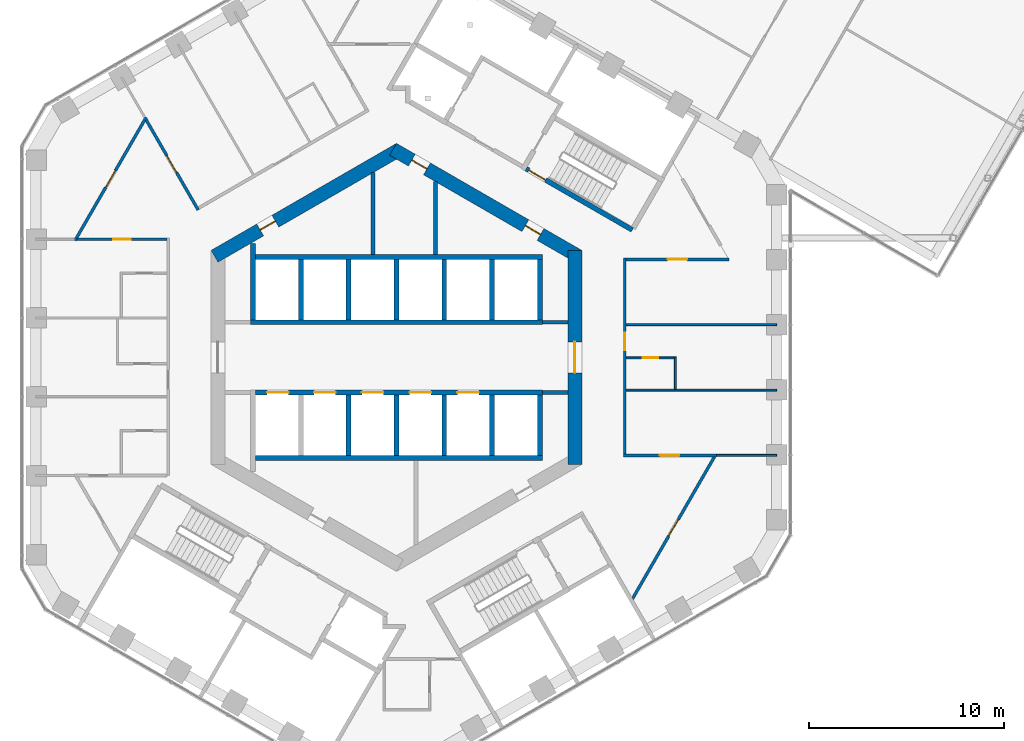
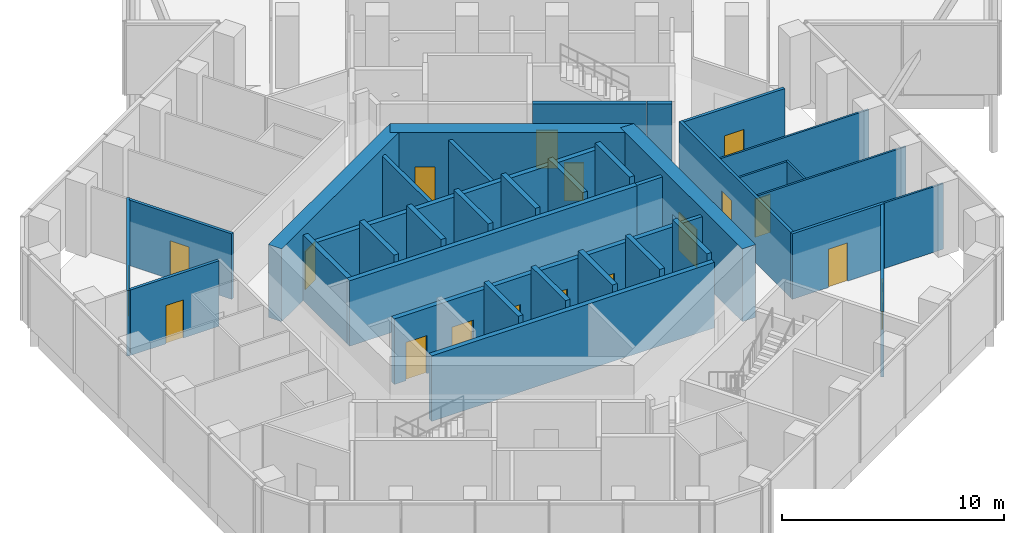
# One storey, part 20 of 25: 37 walls, 18 doors, 18 openings.
"""IFC4 building model written with IfcOpenShell, lengths in metres."""

from ifc_helpers import new_model, si_unit, direction, frame, frame_2d, origin, place, context, subcontext, project, spatial, rectangle, extrude, material, layer, layer_set, type_object, element, fill, save


model = new_model("IFC4")

# Units and contexts
model_context = context("Model", 3, precision=1e-05, world=origin(), true_north=direction((0.0, 1.0)))
body_context = subcontext(model_context, "Body", "Model", "MODEL_VIEW")
ifc_project = project(units=[si_unit("LENGTHUNIT", "METRE"), si_unit("AREAUNIT", "SQUARE_METRE"), si_unit("VOLUMEUNIT", "CUBIC_METRE"), si_unit("PLANEANGLEUNIT", "RADIAN"), si_unit("MASSUNIT", "GRAM", prefix="KILO")], contexts=[model_context])

# Site, building, storey
site_placement = place(None, origin())
site = spatial("IfcSite", under=ifc_project, at=site_placement, CompositionType="ELEMENT")
building_placement = place(site_placement, origin())
building = spatial("IfcBuilding", under=site, at=building_placement, Name="Ayvan Gate Tower", CompositionType="ELEMENT")
storey_placement = place(building_placement, frame((0.0, 0.0, 139.89990234375)))
storey = spatial("IfcBuildingStorey", under=building, at=storey_placement, Name="L37", CompositionType="ELEMENT", Elevation=139.89990234375)

# Wall, opening, door
ifc_material_1 = material(Name="Concrete C70/85", Category="concrete")
ifc_layer_1 = layer(ifc_material_1, 0.699951171875)
ifc_layer_set_1 = layer_set([ifc_layer_1], Name="Concrete C70/85")
wall_type_1 = type_object("IfcWallType", Name="Core wall 700 C70/85", PredefinedType="SHEAR", material=ifc_layer_set_1)
wall_1_placement = place(storey_placement, frame((9.14990234375, -5.48486328125, 0.0), z_axis=(0.0, 0.0, 1.0), x_axis=(0.0, 1.0, 0.0)))
wall_1 = element("IfcWall", 1, at=wall_1_placement, inside=storey, type_object=wall_type_1, Name="CORE-L37-0", PredefinedType="SHEAR", context=body_context, shape_type="SweptSolid", body=[
    extrude(rectangle(XDim=10.9697265625, YDim=0.699951171875, at=frame_2d((5.48486328125, 0.0))), origin(), (0.0, 0.0, 1.0), 4.0),
])
opening_1_placement = place(wall_1_placement, frame((4.684814453125, 0.0, 0.0)))
opening_1 = element("IfcOpeningElement", 2, at=opening_1_placement, cuts=wall_1, Name="Opening L37-D52", PredefinedType="OPENING", context=body_context, shape_type="SweptSolid", body=[
    extrude(rectangle(XDim=1.60009765625, YDim=2.10009765625, at=frame_2d((0.800048828125, 1.050048828125))), frame((0.0, 0.35986328125, 0.0), z_axis=(0.0, -1.0, 0.0), x_axis=(1.0, 0.0, 0.0)), (0.0, 0.0, 1.0), 0.719970703125),
])
ifc_material_2 = material(Name="Timber door leaf", Category="wood")
door_type_1 = type_object("IfcDoorType", Name="DT-1600", OperationType="NOTDEFINED", PredefinedType="DOOR", material=ifc_material_2)
door_1_placement = place(opening_1_placement, origin())
door_1 = element("IfcDoor", 3, at=door_1_placement, inside=storey, type_object=door_type_1, Name="CD-L37-52", OperationType="SINGLE_SWING_LEFT", OverallHeight=2.10009765625, OverallWidth=1.60009765625, PredefinedType="DOOR", context=body_context, shape_type="SweptSolid", body=[
    extrude(rectangle(XDim=1.60009765625, YDim=2.10009765625, at=frame_2d((0.800048828125, 1.050048828125))), frame((0.0, 0.02490234375, 0.0), z_axis=(0.0, -1.0, 0.0), x_axis=(1.0, 0.0, 0.0)), (0.0, 0.0, 1.0), 0.050048828125),
])
fill(opening_1, door_1)

# Wall, openings, doors
wall_2_placement = place(storey_placement, frame((9.324951171875, 5.181640625, 0.0), z_axis=(0.0, 0.0, 1.0), x_axis=(-0.866023993627, 0.500002442456, 0.0)))
wall_2 = element("IfcWall", 4, at=wall_2_placement, inside=storey, type_object=wall_type_1, Name="CORE-L37-1", PredefinedType="SHEAR", context=body_context, shape_type="SweptSolid", body=[
    extrude(rectangle(XDim=10.9697265625, YDim=0.699951171875, at=frame_2d((5.48486328125, 0.0))), origin(), (0.0, 0.0, 1.0), 4.0),
])
opening_2_placement = place(wall_2_placement, frame((8.960205078125, 0.0, 0.0)))
opening_2 = element("IfcOpeningElement", 5, at=opening_2_placement, cuts=wall_2, Name="Opening L37-D48", PredefinedType="OPENING", context=body_context, shape_type="SweptSolid", body=[
    extrude(rectangle(XDim=0.89990234375, YDim=2.10009765625, at=frame_2d((0.449951171875, 1.050048828125))), frame((0.0, 0.35986328125, 0.0), z_axis=(0.0, -1.0, 0.0), x_axis=(1.0, 0.0, 0.0)), (0.0, 0.0, 1.0), 0.719970703125),
])
opening_3_placement = place(wall_2_placement, frame((2.239990234375, 0.0, 0.0)))
opening_3 = element("IfcOpeningElement", 6, at=opening_3_placement, cuts=wall_2, Name="Opening L37-D49", PredefinedType="OPENING", context=body_context, shape_type="SweptSolid", body=[
    extrude(rectangle(XDim=0.89990234375, YDim=2.10009765625, at=frame_2d((0.449951171875, 1.050048828125))), frame((0.0, 0.35986328125, 0.0), z_axis=(0.0, -1.0, 0.0), x_axis=(1.0, 0.0, 0.0)), (0.0, 0.0, 1.0), 0.719970703125),
])
door_type_2 = type_object("IfcDoorType", Name="DT-900", OperationType="NOTDEFINED", PredefinedType="DOOR", material=ifc_material_2)
door_2_placement = place(opening_2_placement, origin())
door_2 = element("IfcDoor", 7, at=door_2_placement, inside=storey, type_object=door_type_2, Name="CD-L37-48", OperationType="SINGLE_SWING_LEFT", OverallHeight=2.10009765625, OverallWidth=0.89990234375, PredefinedType="DOOR", context=body_context, shape_type="SweptSolid", body=[
    extrude(rectangle(XDim=0.89990234375, YDim=2.10009765625, at=frame_2d((0.449951171875, 1.050048828125))), frame((0.0, 0.02490234375, 0.0), z_axis=(0.0, -1.0, 0.0), x_axis=(1.0, 0.0, 0.0)), (0.0, 0.0, 1.0), 0.050048828125),
])
fill(opening_2, door_2)
door_3_placement = place(opening_3_placement, origin())
door_3 = element("IfcDoor", 8, at=door_3_placement, inside=storey, type_object=door_type_2, Name="CD-L37-49", OperationType="SINGLE_SWING_RIGHT", OverallHeight=2.10009765625, OverallWidth=0.89990234375, PredefinedType="DOOR", context=body_context, shape_type="SweptSolid", body=[
    extrude(rectangle(XDim=0.89990234375, YDim=2.10009765625, at=frame_2d((0.449951171875, 1.050048828125))), frame((0.0, 0.02490234375, 0.0), z_axis=(0.0, -1.0, 0.0), x_axis=(1.0, 0.0, 0.0)), (0.0, 0.0, 1.0), 0.050048828125),
])
fill(opening_3, door_3)

# Wall, opening, door
wall_3_placement = place(storey_placement, frame((0.175048828125, 10.66650390625, 0.0), z_axis=(0.0, 0.0, 1.0), x_axis=(-0.866023993627, -0.500002442456, 0.0)))
wall_3 = element("IfcWall", 9, at=wall_3_placement, inside=storey, type_object=wall_type_1, Name="CORE-L37-2", PredefinedType="SHEAR", context=body_context, shape_type="SweptSolid", body=[
    extrude(rectangle(XDim=10.9697265625, YDim=0.699951171875, at=frame_2d((5.48486328125, 0.0))), origin(), (0.0, 0.0, 1.0), 4.0),
])
opening_4_placement = place(wall_3_placement, frame((7.367919921875, 0.0, 0.0)))
opening_4 = element("IfcOpeningElement", 10, at=opening_4_placement, cuts=wall_3, Name="Opening L37-D47", PredefinedType="OPENING", context=body_context, shape_type="SweptSolid", body=[
    extrude(rectangle(XDim=0.89990234375, YDim=2.10009765625, at=frame_2d((0.449951171875, 1.050048828125))), frame((0.0, 0.35986328125, 0.0), z_axis=(0.0, -1.0, 0.0), x_axis=(1.0, 0.0, 0.0)), (0.0, 0.0, 1.0), 0.719970703125),
])
door_4_placement = place(opening_4_placement, origin())
door_4 = element("IfcDoor", 11, at=door_4_placement, inside=storey, type_object=door_type_2, Name="CD-L37-47", OperationType="SINGLE_SWING_RIGHT", OverallHeight=2.10009765625, OverallWidth=0.89990234375, PredefinedType="DOOR", context=body_context, shape_type="SweptSolid", body=[
    extrude(rectangle(XDim=0.89990234375, YDim=2.10009765625, at=frame_2d((0.449951171875, 1.050048828125))), frame((0.0, 0.02490234375, 0.0), z_axis=(0.0, -1.0, 0.0), x_axis=(1.0, 0.0, 0.0)), (0.0, 0.0, 1.0), 0.050048828125),
])
fill(opening_4, door_4)

ifc_material_3 = material(Name="Plasterboard on steel stud", Category="steel")
ifc_layer_2 = layer(ifc_material_3, 0.14990234375)
ifc_layer_set_2 = layer_set([ifc_layer_2], Name="Plasterboard on steel stud")
wall_type_2 = type_object("IfcWallType", Name="WT-CORR-150", PredefinedType="PARTITIONING", material=ifc_layer_set_2)
wall_4_placement = place(storey_placement, frame((-16.476318359375, 5.9892578125, 0.0), z_axis=(0.0, 0.0, 1.0), x_axis=(0.500002592159, 0.866023907196, 0.0)))
wall_4 = element("IfcWall", 12, at=wall_4_placement, inside=storey, type_object=wall_type_2, Name="IW-L37-003", PredefinedType="PARTITIONING", context=body_context, shape_type="SweptSolid", body=[
    extrude(rectangle(XDim=7.29248046875, YDim=0.14990234375, at=frame_2d((3.646240234375, 0.0))), origin(), (0.0, 0.0, 1.0), 3.60009765625),
])
opening_5_placement = place(wall_4_placement, frame((3.14599609375, 0.0, 0.0)))
opening_5 = element("IfcOpeningElement", 13, at=opening_5_placement, cuts=wall_4, Name="Opening L37-D21", PredefinedType="OPENING", context=body_context, shape_type="SweptSolid", body=[
    extrude(rectangle(XDim=1.0, YDim=2.10009765625, at=frame_2d((0.5, 1.050048828125))), frame((0.0, 0.0849609375, 0.0), z_axis=(0.0, -1.0, 0.0), x_axis=(1.0, 0.0, 0.0)), (0.0, 0.0, 1.0), 0.169921875),
])
door_type_3 = type_object("IfcDoorType", Name="DT-1000", OperationType="NOTDEFINED", PredefinedType="DOOR", material=ifc_material_2)
door_5_placement = place(opening_5_placement, origin())
door_5 = element("IfcDoor", 14, at=door_5_placement, inside=storey, type_object=door_type_3, Name="ID-L37-021", OperationType="SINGLE_SWING_RIGHT", OverallHeight=2.10009765625, OverallWidth=1.0, PredefinedType="DOOR", context=body_context, shape_type="SweptSolid", body=[
    extrude(rectangle(XDim=1.0, YDim=2.10009765625, at=frame_2d((0.5, 1.050048828125))), frame((0.0, 0.02490234375, 0.0), z_axis=(0.0, -1.0, 0.0), x_axis=(1.0, 0.0, 0.0)), (0.0, 0.0, 1.0), 0.050048828125),
])
fill(opening_5, door_5)

wall_5_placement = place(storey_placement, frame((-12.830078125, 12.1748046875, 0.0), z_axis=(0.0, 0.0, 1.0), x_axis=(0.49998396455, -0.866034661658, 0.0)))
wall_5 = element("IfcWall", 15, at=wall_5_placement, inside=storey, type_object=wall_type_2, Name="IW-L37-013", PredefinedType="PARTITIONING", context=body_context, shape_type="SweptSolid", body=[
    extrude(rectangle(XDim=5.333740234375, YDim=0.14990234375, at=frame_2d((2.6669921875, 0.0))), origin(), (0.0, 0.0, 1.0), 3.60009765625),
])
opening_6_placement = place(wall_5_placement, frame((2.12939453125, 0.0, 0.0)))
opening_6 = element("IfcOpeningElement", 16, at=opening_6_placement, cuts=wall_5, Name="Opening L37-D35", PredefinedType="OPENING", context=body_context, shape_type="SweptSolid", body=[
    extrude(rectangle(XDim=1.0, YDim=2.10009765625, at=frame_2d((0.5, 1.050048828125))), frame((0.0, 0.0849609375, 0.0), z_axis=(0.0, -1.0, 0.0), x_axis=(1.0, 0.0, 0.0)), (0.0, 0.0, 1.0), 0.169921875),
])
door_6_placement = place(opening_6_placement, origin())
door_6 = element("IfcDoor", 17, at=door_6_placement, inside=storey, type_object=door_type_3, Name="ID-L37-035", OperationType="SINGLE_SWING_RIGHT", OverallHeight=2.10009765625, OverallWidth=1.0, PredefinedType="DOOR", context=body_context, shape_type="SweptSolid", body=[
    extrude(rectangle(XDim=1.0, YDim=2.10009765625, at=frame_2d((0.5, 1.050048828125))), frame((0.0, 0.02490234375, 0.0), z_axis=(0.0, -1.0, 0.0), x_axis=(1.0, 0.0, 0.0)), (0.0, 0.0, 1.0), 0.050048828125),
])
fill(opening_6, door_6)

wall_6_placement = place(storey_placement, frame((-11.77490234375, 6.05419921875, 0.0), z_axis=(0.0, 0.0, 1.0), x_axis=(-1.0, 0.0, 0.0)))
wall_6 = element("IfcWall", 18, at=wall_6_placement, inside=storey, type_object=wall_type_2, Name="IW-L37-019", PredefinedType="PARTITIONING", context=body_context, shape_type="SweptSolid", body=[
    extrude(rectangle(XDim=4.5888671875, YDim=0.14990234375, at=frame_2d((2.29443359375, 0.0))), origin(), (0.0, 0.0, 1.0), 3.60009765625),
])
opening_7_placement = place(wall_6_placement, frame((1.844482421875, 0.0, 0.0)))
opening_7 = element("IfcOpeningElement", 19, at=opening_7_placement, cuts=wall_6, Name="Opening L37-D22", PredefinedType="OPENING", context=body_context, shape_type="SweptSolid", body=[
    extrude(rectangle(XDim=0.89990234375, YDim=2.10009765625, at=frame_2d((0.449951171875, 1.050048828125))), frame((0.0, 0.0849609375, 0.0), z_axis=(0.0, -1.0, 0.0), x_axis=(1.0, 0.0, 0.0)), (0.0, 0.0, 1.0), 0.169921875),
])
door_7_placement = place(opening_7_placement, origin())
door_7 = element("IfcDoor", 20, at=door_7_placement, inside=storey, type_object=door_type_2, Name="ID-L37-022", OperationType="SINGLE_SWING_LEFT", OverallHeight=2.10009765625, OverallWidth=0.89990234375, PredefinedType="DOOR", context=body_context, shape_type="SweptSolid", body=[
    extrude(rectangle(XDim=0.89990234375, YDim=2.10009765625, at=frame_2d((0.449951171875, 1.050048828125))), frame((0.0, 0.02490234375, 0.0), z_axis=(0.0, -1.0, 0.0), x_axis=(1.0, 0.0, 0.0)), (0.0, 0.0, 1.0), 0.050048828125),
])
fill(opening_7, door_7)

wall_7_placement = place(storey_placement, frame((11.625, -5.02392578125, 0.0), z_axis=(0.0, 0.0, 1.0), x_axis=(1.0, 0.0, 0.0)))
wall_7 = element("IfcWall", 21, at=wall_7_placement, inside=storey, type_object=wall_type_2, Name="IW-L37-107", PredefinedType="PARTITIONING", context=body_context, shape_type="SweptSolid", body=[
    extrude(rectangle(XDim=4.790771484375, YDim=0.14990234375, at=frame_2d((2.3955078125, 0.0))), origin(), (0.0, 0.0, 1.0), 3.60009765625),
])
opening_8_placement = place(wall_7_placement, frame((1.878173828125, 0.0, 0.0)))
opening_8 = element("IfcOpeningElement", 22, at=opening_8_placement, cuts=wall_7, Name="Opening L37-D17", PredefinedType="OPENING", context=body_context, shape_type="SweptSolid", body=[
    extrude(rectangle(XDim=1.0, YDim=2.10009765625, at=frame_2d((0.5, 1.050048828125))), frame((0.0, 0.0849609375, 0.0), z_axis=(0.0, -1.0, 0.0), x_axis=(1.0, 0.0, 0.0)), (0.0, 0.0, 1.0), 0.169921875),
])
door_8_placement = place(opening_8_placement, origin())
door_8 = element("IfcDoor", 23, at=door_8_placement, inside=storey, type_object=door_type_3, Name="ID-L37-017", OperationType="SINGLE_SWING_RIGHT", OverallHeight=2.10009765625, OverallWidth=1.0, PredefinedType="DOOR", context=body_context, shape_type="SweptSolid", body=[
    extrude(rectangle(XDim=1.0, YDim=2.10009765625, at=frame_2d((0.5, 1.050048828125))), frame((0.0, 0.02490234375, 0.0), z_axis=(0.0, -1.0, 0.0), x_axis=(1.0, 0.0, 0.0)), (0.0, 0.0, 1.0), 0.050048828125),
])
fill(opening_8, door_8)

wall_8_placement = place(storey_placement, frame((11.699951171875, -4.948974609375, 0.0), z_axis=(0.0, 0.0, 1.0), x_axis=(0.0, 1.0, 0.0)))
wall_8 = element("IfcWall", 24, at=wall_8_placement, inside=storey, type_object=wall_type_2, Name="IW-L37-108", PredefinedType="PARTITIONING", context=body_context, shape_type="SweptSolid", body=[
    extrude(rectangle(XDim=10.0478515625, YDim=0.14990234375, at=frame_2d((5.02392578125, 0.0))), origin(), (0.0, 0.0, 1.0), 3.60009765625),
])
opening_9_placement = place(wall_8_placement, frame((5.323486328125, 0.0, 0.0)))
opening_9 = element("IfcOpeningElement", 25, at=opening_9_placement, cuts=wall_8, Name="Opening L37-D18", PredefinedType="OPENING", context=body_context, shape_type="SweptSolid", body=[
    extrude(rectangle(XDim=0.89990234375, YDim=2.10009765625, at=frame_2d((0.449951171875, 1.050048828125))), frame((0.0, 0.0849609375, 0.0), z_axis=(0.0, -1.0, 0.0), x_axis=(1.0, 0.0, 0.0)), (0.0, 0.0, 1.0), 0.169921875),
])
door_9_placement = place(opening_9_placement, origin())
door_9 = element("IfcDoor", 26, at=door_9_placement, inside=storey, type_object=door_type_2, Name="ID-L37-018", OperationType="SINGLE_SWING_LEFT", OverallHeight=2.10009765625, OverallWidth=0.89990234375, PredefinedType="DOOR", context=body_context, shape_type="SweptSolid", body=[
    extrude(rectangle(XDim=0.89990234375, YDim=2.10009765625, at=frame_2d((0.449951171875, 1.050048828125))), frame((0.0, 0.02490234375, 0.0), z_axis=(0.0, -1.0, 0.0), x_axis=(1.0, 0.0, 0.0)), (0.0, 0.0, 1.0), 0.050048828125),
])
fill(opening_9, door_9)

wall_9_placement = place(storey_placement, frame((16.30322265625, -5.0888671875, 0.0), z_axis=(0.0, 0.0, 1.0), x_axis=(-0.499998689388, -0.866026160465, 0.0)))
wall_9 = element("IfcWall", 27, at=wall_9_placement, inside=storey, type_object=wall_type_2, Name="IW-L37-118", PredefinedType="PARTITIONING", context=body_context, shape_type="SweptSolid", body=[
    extrude(rectangle(XDim=8.41552734375, YDim=0.14990234375, at=frame_2d((4.207763671875, 0.0))), origin(), (0.0, 0.0, 1.0), 3.60009765625),
])
opening_10_placement = place(wall_9_placement, frame((3.707763671875, 0.0, 0.0)))
opening_10 = element("IfcOpeningElement", 28, at=opening_10_placement, cuts=wall_9, Name="Opening L37-D31", PredefinedType="OPENING", context=body_context, shape_type="SweptSolid", body=[
    extrude(rectangle(XDim=1.0, YDim=2.10009765625, at=frame_2d((0.5, 1.050048828125))), frame((0.0, 0.0849609375, 0.0), z_axis=(0.0, -1.0, 0.0), x_axis=(1.0, 0.0, 0.0)), (0.0, 0.0, 1.0), 0.169921875),
])
door_10_placement = place(opening_10_placement, origin())
door_10 = element("IfcDoor", 29, at=door_10_placement, inside=storey, type_object=door_type_3, Name="ID-L37-031", OperationType="SINGLE_SWING_RIGHT", OverallHeight=2.10009765625, OverallWidth=1.0, PredefinedType="DOOR", context=body_context, shape_type="SweptSolid", body=[
    extrude(rectangle(XDim=1.0, YDim=2.10009765625, at=frame_2d((0.5, 1.050048828125))), frame((0.0, 0.02490234375, 0.0), z_axis=(0.0, -1.0, 0.0), x_axis=(1.0, 0.0, 0.0)), (0.0, 0.0, 1.0), 0.050048828125),
])
fill(opening_10, door_10)

wall_10_placement = place(storey_placement, frame((17.03369140625, 5.02392578125, 0.0), z_axis=(0.0, 0.0, 1.0), x_axis=(-1.0, 0.0, 0.0)))
wall_10 = element("IfcWall", 30, at=wall_10_placement, inside=storey, type_object=wall_type_2, Name="IW-L37-120", PredefinedType="PARTITIONING", context=body_context, shape_type="SweptSolid", body=[
    extrude(rectangle(XDim=5.2587890625, YDim=0.14990234375, at=frame_2d((2.62939453125, 0.0))), origin(), (0.0, 0.0, 1.0), 3.60009765625),
])
opening_11_placement = place(wall_10_placement, frame((2.12939453125, 0.0, 0.0)))
opening_11 = element("IfcOpeningElement", 31, at=opening_11_placement, cuts=wall_10, Name="Opening L37-D20", PredefinedType="OPENING", context=body_context, shape_type="SweptSolid", body=[
    extrude(rectangle(XDim=1.0, YDim=2.10009765625, at=frame_2d((0.5, 1.050048828125))), frame((0.0, 0.0849609375, 0.0), z_axis=(0.0, -1.0, 0.0), x_axis=(1.0, 0.0, 0.0)), (0.0, 0.0, 1.0), 0.169921875),
])
door_11_placement = place(opening_11_placement, origin())
door_11 = element("IfcDoor", 32, at=door_11_placement, inside=storey, type_object=door_type_3, Name="ID-L37-020", OperationType="SINGLE_SWING_LEFT", OverallHeight=2.10009765625, OverallWidth=1.0, PredefinedType="DOOR", context=body_context, shape_type="SweptSolid", body=[
    extrude(rectangle(XDim=1.0, YDim=2.10009765625, at=frame_2d((0.5, 1.050048828125))), frame((0.0, 0.02490234375, 0.0), z_axis=(0.0, -1.0, 0.0), x_axis=(1.0, 0.0, 0.0)), (0.0, 0.0, 1.0), 0.050048828125),
])
fill(opening_11, door_11)

# Walls
ifc_layer_3 = layer(ifc_material_3, 0.10009765625)
ifc_layer_set_3 = layer_set([ifc_layer_3], Name="Plasterboard on steel stud")
wall_type_3 = type_object("IfcWallType", Name="WT-PART-100", PredefinedType="PARTITIONING", material=ifc_layer_set_3)
for number, where, z_axis, x_axis, name in (
    (33, (11.77490234375, -1.674560546875, 0.0), (0.0, 0.0, 1.0), (1.0, 0.0, 0.0), "IW-L37-109"),
    (34, (11.77490234375, 1.674560546875, 0.0), (0.0, 0.0, 1.0), (1.0, 0.0, 0.0), "IW-L37-110"),
):
    element("IfcWall", number, at=place(storey_placement, frame(where, z_axis=z_axis, x_axis=x_axis)), inside=storey, type_object=wall_type_3, Name=name, PredefinedType="PARTITIONING", context=body_context, shape_type="SweptSolid", body=[
        extrude(rectangle(XDim=7.710693359375, YDim=0.10009765625, at=frame_2d((3.85546875, 0.0))), origin(), (0.0, 0.0, 1.0), 3.60009765625),
    ])
wall_11_placement = place(storey_placement, frame((14.300048828125, -1.62451171875, 0.0), z_axis=(0.0, 0.0, 1.0), x_axis=(0.0, 1.0, 0.0)))
element("IfcWall", 35, at=wall_11_placement, inside=storey, type_object=wall_type_3, Name="IW-L37-114", PredefinedType="PARTITIONING", context=body_context, shape_type="SweptSolid", body=[
    extrude(rectangle(XDim=1.649169921875, YDim=0.10009765625, at=frame_2d((0.82470703125, 0.0))), origin(), (0.0, 0.0, 1.0), 3.60009765625),
])

# Wall, opening, door
wall_12_placement = place(storey_placement, frame((14.25, -0.025390625, 0.0), z_axis=(0.0, 0.0, 1.0), x_axis=(-1.0, 0.0, 0.0)))
wall_12 = element("IfcWall", 36, at=wall_12_placement, inside=storey, type_object=wall_type_3, Name="IW-L37-115", PredefinedType="PARTITIONING", context=body_context, shape_type="SweptSolid", body=[
    extrude(rectangle(XDim=2.47509765625, YDim=0.10009765625, at=frame_2d((1.237548828125, 0.0))), origin(), (0.0, 0.0, 1.0), 3.60009765625),
])
opening_12_placement = place(wall_12_placement, frame((0.83740234375, 0.0, 0.0)))
opening_12 = element("IfcOpeningElement", 37, at=opening_12_placement, cuts=wall_12, Name="Opening L37-D19", PredefinedType="OPENING", context=body_context, shape_type="SweptSolid", body=[
    extrude(rectangle(XDim=0.800048828125, YDim=2.10009765625, at=frame_2d((0.39990234375, 1.050048828125))), frame((0.0, 0.06005859375, 0.0), z_axis=(0.0, -1.0, 0.0), x_axis=(1.0, 0.0, 0.0)), (0.0, 0.0, 1.0), 0.1201171875),
])
door_type_4 = type_object("IfcDoorType", Name="DT-800", OperationType="NOTDEFINED", PredefinedType="DOOR", material=ifc_material_2)
door_12_placement = place(opening_12_placement, origin())
door_12 = element("IfcDoor", 38, at=door_12_placement, inside=storey, type_object=door_type_4, Name="ID-L37-019", OperationType="SINGLE_SWING_RIGHT", OverallHeight=2.10009765625, OverallWidth=0.800048828125, PredefinedType="DOOR", context=body_context, shape_type="SweptSolid", body=[
    extrude(rectangle(XDim=0.800048828125, YDim=2.10009765625, at=frame_2d((0.39990234375, 1.050048828125))), frame((0.0, 0.02490234375, 0.0), z_axis=(0.0, -1.0, 0.0), x_axis=(1.0, 0.0, 0.0)), (0.0, 0.0, 1.0), 0.050048828125),
])
fill(opening_12, door_12)

# Walls
wall_13_placement = place(storey_placement, frame((19.485595703125, -5.02392578125, 0.0), z_axis=(0.0, 0.0, 1.0), x_axis=(-1.0, 0.0, 0.0)))
element("IfcWall", 39, at=wall_13_placement, inside=storey, type_object=wall_type_3, Name="IW-L37-121", PredefinedType="PARTITIONING", context=body_context, shape_type="SweptSolid", body=[
    extrude(rectangle(XDim=3.06982421875, YDim=0.10009765625, at=frame_2d((1.534912109375, 0.0))), origin(), (0.0, 0.0, 1.0), 3.60009765625),
])
ifc_layer_4 = layer(ifc_material_3, 0.199951171875)
ifc_layer_set_4 = layer_set([ifc_layer_4], Name="Plasterboard on steel stud")
wall_type_4 = type_object("IfcWallType", Name="WT-RATED-200", PredefinedType="PARTITIONING", material=ifc_layer_set_4)
wall_14_placement = place(storey_placement, frame((-1.199951171875, 9.468505859375, 0.0), z_axis=(0.0, 0.0, 1.0), x_axis=(0.0, -1.0, 0.0)))
element("IfcWall", 40, at=wall_14_placement, inside=storey, type_object=wall_type_4, Name="IW-L37-052", PredefinedType="PARTITIONING", context=body_context, shape_type="SweptSolid", body=[
    extrude(rectangle(XDim=4.193603515625, YDim=0.199951171875, at=frame_2d((2.0966796875, 0.0))), origin(), (0.0, 0.0, 1.0), 3.60009765625),
])
wall_15_placement = place(storey_placement, frame((2.0, 9.006591796875, 0.0), z_axis=(0.0, 0.0, 1.0), x_axis=(0.0, -1.0, 0.0)))
element("IfcWall", 41, at=wall_15_placement, inside=storey, type_object=wall_type_4, Name="IW-L37-073", PredefinedType="PARTITIONING", context=body_context, shape_type="SweptSolid", body=[
    extrude(rectangle(XDim=3.731689453125, YDim=0.199951171875, at=frame_2d((1.86572265625, 0.0))), origin(), (0.0, 0.0, 1.0), 3.60009765625),
])
for number, where, z_axis, x_axis, name in (
    (42, (7.474853515625, 1.800048828125, 0.0), (0.0, 0.0, 1.0), (1.0, 0.0, 0.0), "IW-L37-094"),
    (43, (8.800048828125, -1.800048828125, 0.0), (0.0, 0.0, 1.0), (-1.0, 0.0, 0.0), "IW-L37-101"),
):
    element("IfcWall", number, at=place(storey_placement, frame(where, z_axis=z_axis, x_axis=x_axis)), inside=storey, type_object=wall_type_4, Name=name, PredefinedType="PARTITIONING", context=body_context, shape_type="SweptSolid", body=[
        extrude(rectangle(XDim=1.3251953125, YDim=0.199951171875, at=frame_2d((0.66259765625, 0.0))), origin(), (0.0, 0.0, 1.0), 3.60009765625),
    ])
ifc_material_4 = material(Name="Concrete C50/60", Category="concrete")
ifc_layer_5 = layer(ifc_material_4, 0.25)
ifc_layer_set_5 = layer_set([ifc_layer_5], Name="Concrete C50/60")
wall_type_5 = type_object("IfcWallType", Name="WT-RC-250", PredefinedType="SHEAR", material=ifc_layer_set_5)
wall_16_placement = place(storey_placement, frame((-7.47509765625, 1.800048828125, 0.0), z_axis=(0.0, 0.0, 1.0), x_axis=(1.0, 0.0, 0.0)))
element("IfcWall", 44, at=wall_16_placement, inside=storey, type_object=wall_type_5, Name="IW-L37-027", PredefinedType="SHEAR", context=body_context, shape_type="SweptSolid", body=[
    extrude(rectangle(XDim=14.9501953125, YDim=0.25, at=frame_2d((7.47509765625, 0.0))), origin(), (0.0, 0.0, 1.0), 3.60009765625),
])
wall_17_placement = place(storey_placement, frame((-7.35009765625, 1.925048828125, 0.0), z_axis=(0.0, 0.0, 1.0), x_axis=(0.0, 1.0, 0.0)))
element("IfcWall", 45, at=wall_17_placement, inside=storey, type_object=wall_type_5, Name="IW-L37-029", PredefinedType="SHEAR", context=body_context, shape_type="SweptSolid", body=[
    extrude(rectangle(XDim=3.920654296875, YDim=0.25, at=frame_2d((1.96044921875, 0.0))), origin(), (0.0, 0.0, 1.0), 3.60009765625),
])
for number, where, z_axis, x_axis, name in (
    (46, (-7.22509765625, 5.14990234375, 0.0), (0.0, 0.0, 1.0), (1.0, 0.0, 0.0), "IW-L37-030"),
    (47, (-7.22509765625, -5.14990234375, 0.0), (0.0, 0.0, 1.0), (1.0, 0.0, 0.0), "IW-L37-037"),
):
    element("IfcWall", number, at=place(storey_placement, frame(where, z_axis=z_axis, x_axis=x_axis)), inside=storey, type_object=wall_type_5, Name=name, PredefinedType="SHEAR", context=body_context, shape_type="SweptSolid", body=[
        extrude(rectangle(XDim=14.7001953125, YDim=0.25, at=frame_2d((7.35009765625, 0.0))), origin(), (0.0, 0.0, 1.0), 3.60009765625),
    ])
wall_18_placement = place(storey_placement, frame((-4.89990234375, 5.02490234375, 0.0), z_axis=(0.0, 0.0, 1.0), x_axis=(0.0, -1.0, 0.0)))
element("IfcWall", 48, at=wall_18_placement, inside=storey, type_object=wall_type_5, Name="IW-L37-039", PredefinedType="SHEAR", context=body_context, shape_type="SweptSolid", body=[
    extrude(rectangle(XDim=3.099853515625, YDim=0.25, at=frame_2d((1.5498046875, 0.0))), origin(), (0.0, 0.0, 1.0), 4.0),
])

# Wall, openings, doors
wall_19_placement = place(storey_placement, frame((-7.22509765625, -1.800048828125, 0.0), z_axis=(0.0, 0.0, 1.0), x_axis=(1.0, 0.0, 0.0)))
wall_19 = element("IfcWall", 49, at=wall_19_placement, inside=storey, type_object=wall_type_5, Name="IW-L37-040", PredefinedType="SHEAR", context=body_context, shape_type="SweptSolid", body=[
    extrude(rectangle(XDim=14.7001953125, YDim=0.25, at=frame_2d((7.35009765625, 0.0))), origin(), (0.0, 0.0, 1.0), 3.60009765625),
])
opening_13_placement = place(wall_19_placement, frame((0.597412109375, 0.0, 0.0)))
opening_13 = element("IfcOpeningElement", 50, at=opening_13_placement, cuts=wall_19, Name="Opening L37-LD-LR1", PredefinedType="OPENING", context=body_context, shape_type="SweptSolid", body=[
    extrude(rectangle(XDim=1.10009765625, YDim=2.10009765625, at=frame_2d((0.550048828125, 1.050048828125))), frame((0.0, 0.135009765625, 0.0), z_axis=(0.0, -1.0, 0.0), x_axis=(1.0, 0.0, 0.0)), (0.0, 0.0, 1.0), 0.27001953125),
])
opening_14_placement = place(wall_19_placement, frame((3.0, 0.0, 0.0)))
opening_14 = element("IfcOpeningElement", 51, at=opening_14_placement, cuts=wall_19, Name="Opening L37-LD-LR2", PredefinedType="OPENING", context=body_context, shape_type="SweptSolid", body=[
    extrude(rectangle(XDim=1.10009765625, YDim=2.10009765625, at=frame_2d((0.550048828125, 1.050048828125))), frame((0.0, 0.135009765625, 0.0), z_axis=(0.0, -1.0, 0.0), x_axis=(1.0, 0.0, 0.0)), (0.0, 0.0, 1.0), 0.27001953125),
])
opening_15_placement = place(wall_19_placement, frame((5.4501953125, 0.0, 0.0)))
opening_15 = element("IfcOpeningElement", 52, at=opening_15_placement, cuts=wall_19, Name="Opening L37-LD-LR3", PredefinedType="OPENING", context=body_context, shape_type="SweptSolid", body=[
    extrude(rectangle(XDim=1.10009765625, YDim=2.10009765625, at=frame_2d((0.550048828125, 1.050048828125))), frame((0.0, 0.135009765625, 0.0), z_axis=(0.0, -1.0, 0.0), x_axis=(1.0, 0.0, 0.0)), (0.0, 0.0, 1.0), 0.27001953125),
])
opening_16_placement = place(wall_19_placement, frame((7.900146484375, 0.0, 0.0)))
opening_16 = element("IfcOpeningElement", 53, at=opening_16_placement, cuts=wall_19, Name="Opening L37-LD-LR4", PredefinedType="OPENING", context=body_context, shape_type="SweptSolid", body=[
    extrude(rectangle(XDim=1.10009765625, YDim=2.10009765625, at=frame_2d((0.550048828125, 1.050048828125))), frame((0.0, 0.135009765625, 0.0), z_axis=(0.0, -1.0, 0.0), x_axis=(1.0, 0.0, 0.0)), (0.0, 0.0, 1.0), 0.27001953125),
])
opening_17_placement = place(wall_19_placement, frame((10.35009765625, 0.0, 0.0)))
opening_17 = element("IfcOpeningElement", 54, at=opening_17_placement, cuts=wall_19, Name="Opening L37-LD-SV", PredefinedType="OPENING", context=body_context, shape_type="SweptSolid", body=[
    extrude(rectangle(XDim=1.10009765625, YDim=2.10009765625, at=frame_2d((0.550048828125, 1.050048828125))), frame((0.0, 0.135009765625, 0.0), z_axis=(0.0, -1.0, 0.0), x_axis=(1.0, 0.0, 0.0)), (0.0, 0.0, 1.0), 0.27001953125),
])
ifc_material_5 = material(Name="Stainless steel landing door", Category="steel")
door_type_5 = type_object("IfcDoorType", Name="DT-LANDING-1100", OperationType="SLIDING_TO_LEFT", PredefinedType="DOOR", material=ifc_material_5)
door_13_placement = place(opening_13_placement, origin())
door_13 = element("IfcDoor", 55, at=door_13_placement, inside=storey, type_object=door_type_5, Name="ID-L37-001", OperationType="SLIDING_TO_LEFT", OverallHeight=2.10009765625, OverallWidth=1.10009765625, PredefinedType="DOOR", context=body_context, shape_type="SweptSolid", body=[
    extrude(rectangle(XDim=1.10009765625, YDim=2.10009765625, at=frame_2d((0.550048828125, 1.050048828125))), frame((0.0, 0.02490234375, 0.0), z_axis=(0.0, -1.0, 0.0), x_axis=(1.0, 0.0, 0.0)), (0.0, 0.0, 1.0), 0.050048828125),
])
fill(opening_13, door_13)
door_14_placement = place(opening_14_placement, origin())
door_14 = element("IfcDoor", 56, at=door_14_placement, inside=storey, type_object=door_type_5, Name="ID-L37-002", OperationType="SLIDING_TO_LEFT", OverallHeight=2.10009765625, OverallWidth=1.10009765625, PredefinedType="DOOR", context=body_context, shape_type="SweptSolid", body=[
    extrude(rectangle(XDim=1.10009765625, YDim=2.10009765625, at=frame_2d((0.550048828125, 1.050048828125))), frame((0.0, 0.02490234375, 0.0), z_axis=(0.0, -1.0, 0.0), x_axis=(1.0, 0.0, 0.0)), (0.0, 0.0, 1.0), 0.050048828125),
])
fill(opening_14, door_14)
door_15_placement = place(opening_15_placement, origin())
door_15 = element("IfcDoor", 57, at=door_15_placement, inside=storey, type_object=door_type_5, Name="ID-L37-003", OperationType="SLIDING_TO_LEFT", OverallHeight=2.10009765625, OverallWidth=1.10009765625, PredefinedType="DOOR", context=body_context, shape_type="SweptSolid", body=[
    extrude(rectangle(XDim=1.10009765625, YDim=2.10009765625, at=frame_2d((0.550048828125, 1.050048828125))), frame((0.0, 0.02490234375, 0.0), z_axis=(0.0, -1.0, 0.0), x_axis=(1.0, 0.0, 0.0)), (0.0, 0.0, 1.0), 0.050048828125),
])
fill(opening_15, door_15)
door_16_placement = place(opening_16_placement, origin())
door_16 = element("IfcDoor", 58, at=door_16_placement, inside=storey, type_object=door_type_5, Name="ID-L37-004", OperationType="SLIDING_TO_LEFT", OverallHeight=2.10009765625, OverallWidth=1.10009765625, PredefinedType="DOOR", context=body_context, shape_type="SweptSolid", body=[
    extrude(rectangle(XDim=1.10009765625, YDim=2.10009765625, at=frame_2d((0.550048828125, 1.050048828125))), frame((0.0, 0.02490234375, 0.0), z_axis=(0.0, -1.0, 0.0), x_axis=(1.0, 0.0, 0.0)), (0.0, 0.0, 1.0), 0.050048828125),
])
fill(opening_16, door_16)
door_17_placement = place(opening_17_placement, origin())
door_17 = element("IfcDoor", 59, at=door_17_placement, inside=storey, type_object=door_type_5, Name="ID-L37-005", OperationType="SLIDING_TO_LEFT", OverallHeight=2.10009765625, OverallWidth=1.10009765625, PredefinedType="DOOR", context=body_context, shape_type="SweptSolid", body=[
    extrude(rectangle(XDim=1.10009765625, YDim=2.10009765625, at=frame_2d((0.550048828125, 1.050048828125))), frame((0.0, 0.02490234375, 0.0), z_axis=(0.0, -1.0, 0.0), x_axis=(1.0, 0.0, 0.0)), (0.0, 0.0, 1.0), 0.050048828125),
])
fill(opening_17, door_17)

# Walls
for number, where, z_axis, x_axis, name in (
    (60, (-2.449951171875, -1.925048828125, 0.0), (0.0, 0.0, 1.0), (0.0, -1.0, 0.0), "IW-L37-048"),
    (61, (-2.449951171875, 5.02490234375, 0.0), (0.0, 0.0, 1.0), (0.0, -1.0, 0.0), "IW-L37-049"),
    (62, (0.0, -1.925048828125, 0.0), (0.0, 0.0, 1.0), (0.0, -1.0, 0.0), "IW-L37-062"),
    (63, (0.0, 5.02490234375, 0.0), (0.0, 0.0, 1.0), (0.0, -1.0, 0.0), "IW-L37-063"),
    (64, (2.449951171875, -1.925048828125, 0.0), (0.0, 0.0, 1.0), (0.0, -1.0, 0.0), "IW-L37-074"),
    (65, (2.449951171875, 5.02490234375, 0.0), (0.0, 0.0, 1.0), (0.0, -1.0, 0.0), "IW-L37-075"),
    (66, (4.89990234375, -1.925048828125, 0.0), (0.0, 0.0, 1.0), (0.0, -1.0, 0.0), "IW-L37-085"),
    (67, (4.89990234375, 5.02490234375, 0.0), (0.0, 0.0, 1.0), (0.0, -1.0, 0.0), "IW-L37-086"),
    (68, (7.35009765625, -1.925048828125, 0.0), (0.0, 0.0, 1.0), (0.0, -1.0, 0.0), "IW-L37-095"),
    (69, (7.35009765625, 5.02490234375, 0.0), (0.0, 0.0, 1.0), (0.0, -1.0, 0.0), "IW-L37-096"),
):
    element("IfcWall", number, at=place(storey_placement, frame(where, z_axis=z_axis, x_axis=x_axis)), inside=storey, type_object=wall_type_5, Name=name, PredefinedType="SHEAR", context=body_context, shape_type="SweptSolid", body=[
        extrude(rectangle(XDim=3.099853515625, YDim=0.25, at=frame_2d((1.5498046875, 0.0))), origin(), (0.0, 0.0, 1.0), 4.0),
    ])

# Wall, opening, door
wall_20_placement = place(storey_placement, frame((11.10009765625, 7.101318359375, 0.0), z_axis=(0.0, 0.0, 1.0), x_axis=(-0.8660265141, 0.499998076872, 0.0)))
wall_20 = element("IfcWall", 70, at=wall_20_placement, inside=storey, type_object=wall_type_5, Name="IW-L37-106", PredefinedType="SHEAR", context=body_context, shape_type="SweptSolid", body=[
    extrude(rectangle(XDim=5.13720703125, YDim=0.25, at=frame_2d((2.568603515625, 0.0))), origin(), (0.0, 0.0, 1.0), 3.60009765625),
])
opening_18_placement = place(wall_20_placement, frame((3.9873046875, 0.0, 0.0)))
opening_18 = element("IfcOpeningElement", 71, at=opening_18_placement, cuts=wall_20, Name="Opening L37-D06", PredefinedType="OPENING", context=body_context, shape_type="SweptSolid", body=[
    extrude(rectangle(XDim=1.0, YDim=2.10009765625, at=frame_2d((0.5, 1.050048828125))), frame((0.0, 0.135009765625, 0.0), z_axis=(0.0, -1.0, 0.0), x_axis=(1.0, 0.0, 0.0)), (0.0, 0.0, 1.0), 0.27001953125),
])
door_18_placement = place(opening_18_placement, origin())
door_18 = element("IfcDoor", 72, at=door_18_placement, inside=storey, type_object=door_type_3, Name="ID-L37-006", OperationType="SINGLE_SWING_LEFT", OverallHeight=2.10009765625, OverallWidth=1.0, PredefinedType="DOOR", context=body_context, shape_type="SweptSolid", body=[
    extrude(rectangle(XDim=1.0, YDim=2.10009765625, at=frame_2d((0.5, 1.050048828125))), frame((0.0, 0.02490234375, 0.0), z_axis=(0.0, -1.0, 0.0), x_axis=(1.0, 0.0, 0.0)), (0.0, 0.0, 1.0), 0.050048828125),
])
fill(opening_18, door_18)

# Wall
wall_21_placement = place(storey_placement, frame((12.08544921875, 6.532470703125, 0.0), z_axis=(0.0, 0.0, 1.0), x_axis=(-0.86604373436, 0.499968249168, 0.0)))
element("IfcWall", 73, at=wall_21_placement, inside=storey, type_object=wall_type_5, Name="IW-L37-111", PredefinedType="SHEAR", context=body_context, shape_type="SweptSolid", body=[
    extrude(rectangle(XDim=1.11767578125, YDim=0.25, at=frame_2d((0.558837890625, 0.0))), origin(), (0.0, 0.0, 1.0), 3.60009765625),
])

save(model, "model.ifc")
